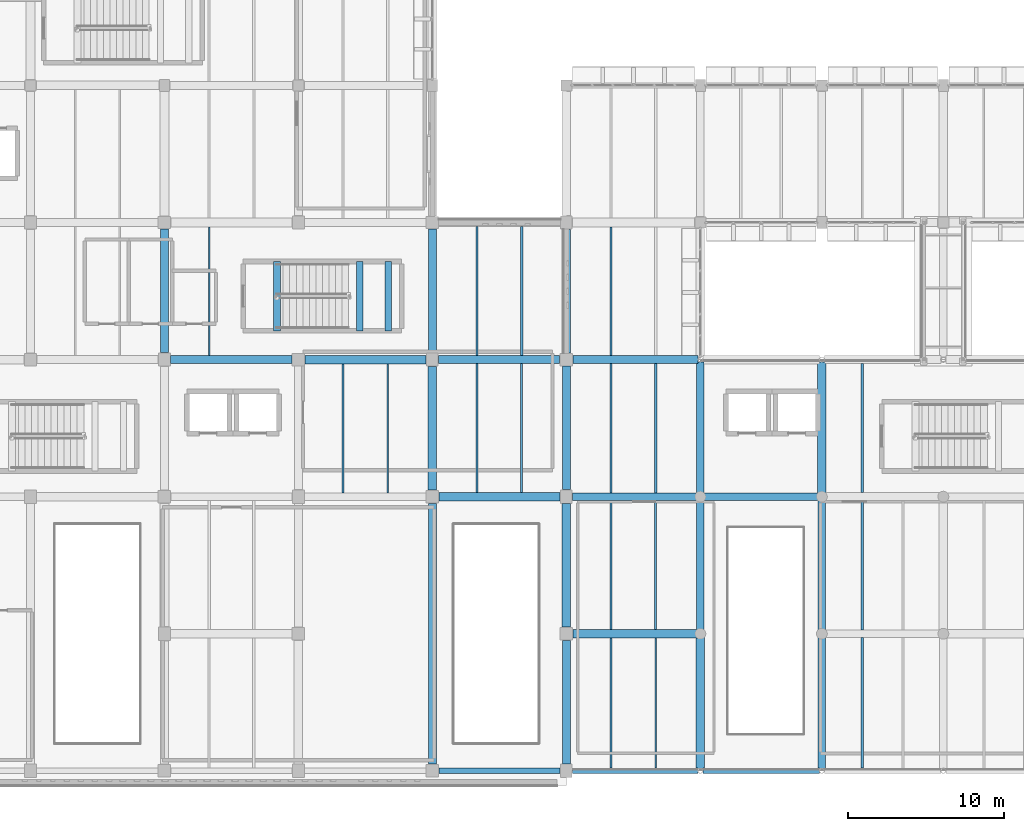
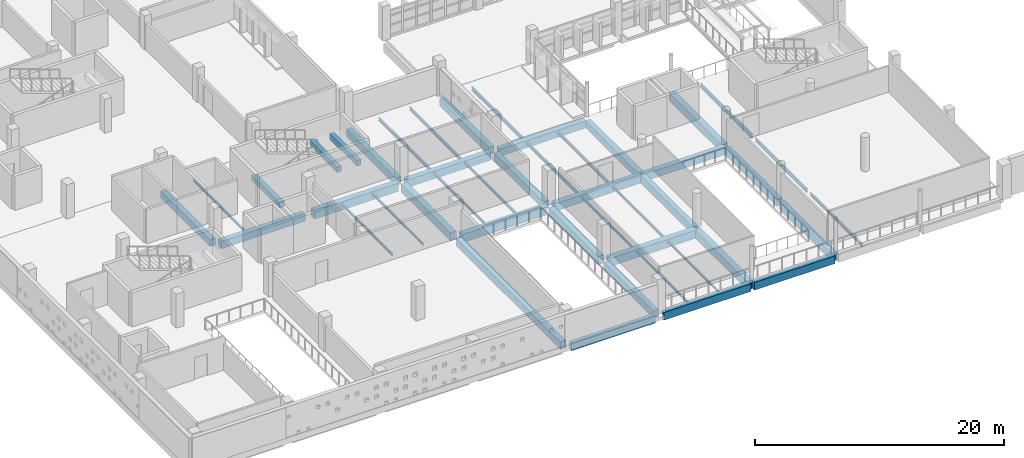
# One storey, part 8 of 75: 45 beams.
"""IFC4 building model written with IfcOpenShell, lengths in metres."""

import ifcopenshell
import ifcopenshell.guid

model = None  # the IFC model being written
_history = None  # IfcOwnerHistory: only IFC2X3 demands one
_inside = {}  # id of a spatial element -> (the spatial element, [elements in it])
_under = {}  # id of a project, library or spatial element -> (it, [spatial elements below it])
_declared = {}  # id of a project -> (the project, [libraries it declares])
_typed = {}  # id of a type object -> (the type object, [elements of that type])
_made_of = {}  # id of a material, layer set ... -> (it, [elements and type objects made of it])


def new_model(schema):
    """Start an empty IFC model of exactly this schema.

    Asked for "IFC4X3", IfcOpenShell would pick the latest addendum, in which some entities
    have other attributes; the version numbers below select the first issue.
    IFC2X3 requires an IfcOwnerHistory on every rooted entity: one is made here for all.
    """
    global model, _history
    if schema == "IFC4X3":
        model = ifcopenshell.file(schema_version=(4, 3, 0, 0))
    else:
        model = ifcopenshell.file(schema=schema)
    _inside.clear()
    _under.clear()
    _declared.clear()
    _typed.clear()
    _made_of.clear()
    _history = None
    if model.schema == "IFC2X3":
        org = make("IfcOrganization", Name="unknown")
        user = make(
            "IfcPersonAndOrganization",
            ThePerson=make("IfcPerson", FamilyName="unknown"),
            TheOrganization=org,
        )
        app = make(
            "IfcApplication",
            ApplicationDeveloper=org,
            Version="unknown",
            ApplicationFullName="unknown",
            ApplicationIdentifier="unknown",
        )
        _history = make(
            "IfcOwnerHistory",
            OwningUser=user,
            OwningApplication=app,
            ChangeAction="ADDED",
            CreationDate=0,
        )
    return model


def make(cls, **values):
    """One entity of the class cls with the attributes given. An attribute that is None is left unset."""
    return model.create_entity(
        cls, **{name: value for name, value in values.items() if value is not None}
    )


def rooted(cls, **values):
    """An entity with a GlobalId (a new one), such as an element, a storey or a relation."""
    return make(cls, GlobalId=ifcopenshell.guid.new(), OwnerHistory=_history, **values)


def si_unit(unit_type, name, prefix=None):
    """IfcSIUnit, for example si_unit("LENGTHUNIT", "METRE", prefix="MILLI")."""
    return make("IfcSIUnit", UnitType=unit_type, Prefix=prefix, Name=name)


def assignment(units):
    """IfcUnitAssignment: the units of a project."""
    return None if units is None else make("IfcUnitAssignment", Units=units)


def point(xyz):
    """IfcCartesianPoint."""
    return None if xyz is None else make("IfcCartesianPoint", Coordinates=xyz)


def direction(xyz):
    """IfcDirection."""
    return None if xyz is None else make("IfcDirection", DirectionRatios=xyz)


def frame(location, z_axis=None, x_axis=None):
    """IfcAxis2Placement3D, a coordinate frame: its origin and axes. An axis left out is left unset."""
    return make(
        "IfcAxis2Placement3D",
        Location=point(location),
        Axis=direction(z_axis),
        RefDirection=direction(x_axis),
    )


def frame_2d(location, x_axis=None):
    """IfcAxis2Placement2D, a coordinate frame in the plane: its origin and x axis."""
    return make(
        "IfcAxis2Placement2D", Location=point(location), RefDirection=direction(x_axis)
    )


def origin():
    """The frame at (0, 0, 0) with its axes left unset."""
    return frame((0.0, 0.0, 0.0))


def origin_2d():
    """The frame at (0, 0) in the plane with its x axis left unset."""
    return frame_2d((0.0, 0.0))


def place(relative_to, where):
    """IfcLocalPlacement: puts the frame where relative to a parent placement (None: the world)."""
    return make(
        "IfcLocalPlacement", PlacementRelTo=relative_to, RelativePlacement=where
    )


def context(
    kind, dimensions, precision=None, world=None, true_north=None, identifier=None
):
    """IfcGeometricRepresentationContext, for example the 3D "Model" context."""
    return make(
        "IfcGeometricRepresentationContext",
        ContextIdentifier=identifier,
        ContextType=kind,
        CoordinateSpaceDimension=dimensions,
        Precision=precision,
        WorldCoordinateSystem=world,
        TrueNorth=true_north,
    )


def subcontext(parent, identifier, kind, view, scale=None):
    """IfcGeometricRepresentationSubContext, for example "Body" below "Model"."""
    return make(
        "IfcGeometricRepresentationSubContext",
        ContextIdentifier=identifier,
        ContextType=kind,
        ParentContext=parent,
        TargetScale=scale,
        TargetView=view,
    )


def project(units=None, contexts=None):
    """IfcProject with its units and contexts."""
    return rooted(
        "IfcProject",
        Name="project",
        RepresentationContexts=contexts,
        UnitsInContext=assignment(units),
    )


def spatial(cls, under=None, at=None, **own):
    """A site, building, storey or space (cls), placed at a placement, below another one or the project."""
    s = rooted(cls, ObjectPlacement=at, **own)
    if under is not None:
        _under.setdefault(under.id(), (under, []))[1].append(s)
    return s


def profile(cls, at=None, kind="AREA", **sizes):
    """A parametric profile (cls). Its sizes go by their IFC names, for example OverallWidth=200.0."""
    return make(cls, ProfileType=kind, Position=at, **sizes)


def rectangle(**sizes):
    """IfcRectangleProfileDef."""
    return profile("IfcRectangleProfileDef", **sizes)


def i_section(**sizes):
    """IfcIShapeProfileDef."""
    return profile("IfcIShapeProfileDef", **sizes)


def extrude(swept, where, along, depth):
    """IfcExtrudedAreaSolid: the profile swept, set in the frame where, extruded along a direction by depth."""
    return make(
        "IfcExtrudedAreaSolid",
        SweptArea=swept,
        Position=where,
        ExtrudedDirection=direction(along),
        Depth=depth,
    )


def shape(context_of_items, identifier, shape_type, items):
    """IfcShapeRepresentation: the items that make up one representation, for example the "Body"."""
    return make(
        "IfcShapeRepresentation",
        ContextOfItems=context_of_items,
        RepresentationIdentifier=identifier,
        RepresentationType=shape_type,
        Items=items,
    )


def material(Name=None, Category=None):
    """IfcMaterial."""
    return make("IfcMaterial", Name=Name, Category=Category)


def material_profile(
    of_material, cross_section, Name=None, Category=None, Priority=None
):
    """IfcMaterialProfile: a cross section and its material."""
    return make(
        "IfcMaterialProfile",
        Name=Name,
        Material=of_material,
        Profile=cross_section,
        Priority=Priority,
        Category=Category,
    )


def profile_set(profiles, Name=None, composite=None):
    """IfcMaterialProfileSet."""
    return make(
        "IfcMaterialProfileSet",
        Name=Name,
        MaterialProfiles=profiles,
        CompositeProfile=composite,
    )


def made_of(thing, what):
    """Note that an element or type object is made of a material, layer set ...; save() writes the relation."""
    if what is not None:
        _made_of.setdefault(what.id(), (what, []))[1].append(thing)
    return thing


def type_object(cls, material=None, **own):
    """A type object (cls), such as IfcWallType, which elements share."""
    return made_of(rooted(cls, **own), material)


def element(
    cls,
    number,
    at=None,
    inside=None,
    cuts=None,
    type_object=None,
    material=None,
    context=None,
    identifier="Body",
    shape_type=None,
    held_by="IfcProductDefinitionShape",
    body=None,
    shapes=None,
    **own,
):
    """One element of the class cls, such as IfcWall. Its Tag is "e" and its number.

    at: its placement. inside: the storey or other place that contains it. cuts: it is an
    opening in that element (IfcRelVoidsElement). A single representation is given by context,
    identifier, shape_type and body (its items); several are given by shapes. held_by: the class
    of the entity that holds the representations. save() writes the other relations.
    """
    e = rooted(cls, Tag="e%d" % number, ObjectPlacement=at, **own)
    if body is not None:
        shapes = [shape(context, identifier, shape_type, body)]
    if shapes is not None:
        e.Representation = make(held_by, Representations=shapes)
    if inside is not None:
        _inside.setdefault(inside.id(), (inside, []))[1].append(e)
    if cuts is not None:
        rooted(
            "IfcRelVoidsElement", RelatingBuildingElement=cuts, RelatedOpeningElement=e
        )
    if type_object is not None:
        _typed.setdefault(type_object.id(), (type_object, []))[1].append(e)
    return made_of(e, material)


def aggregate(whole, parts):
    """IfcRelAggregates: a whole, such as a stair, and the parts it consists of."""
    return rooted("IfcRelAggregates", RelatingObject=whole, RelatedObjects=parts)


def save(model, path):
    """Write the relations noted so far, then the file.

    IfcRelAggregates (storeys below a building ...), IfcRelContainedInSpatialStructure (elements
    in a storey), IfcRelDefinesByType, IfcRelAssociatesMaterial and IfcRelDeclares: one each for
    every whole, place, type object, material and project.
    """
    for whole, parts in _under.values():
        aggregate(whole, parts)
    for where, things in _inside.values():
        rooted(
            "IfcRelContainedInSpatialStructure",
            RelatedElements=things,
            RelatingStructure=where,
        )
    for kind, things in _typed.values():
        rooted("IfcRelDefinesByType", RelatedObjects=things, RelatingType=kind)
    for what, things in _made_of.values():
        rooted("IfcRelAssociatesMaterial", RelatedObjects=things, RelatingMaterial=what)
    for by, libraries in _declared.values():
        rooted("IfcRelDeclares", RelatingContext=by, RelatedDefinitions=libraries)
    model.write(path)


model = new_model("IFC4")

# Units and contexts
model_context = context("Model", 3, precision=1e-05, world=origin(), true_north=direction((0.0, 1.0)))
body_context = subcontext(model_context, "Body", "Model", "MODEL_VIEW")
ifc_project = project(units=[si_unit("LENGTHUNIT", "METRE"), si_unit("AREAUNIT", "SQUARE_METRE"), si_unit("VOLUMEUNIT", "CUBIC_METRE"), si_unit("PLANEANGLEUNIT", "RADIAN"), si_unit("MASSUNIT", "GRAM", prefix="KILO")], contexts=[model_context])

# Site, building, storey
site_placement = place(None, origin())
site = spatial("IfcSite", under=ifc_project, at=site_placement, CompositionType="ELEMENT")
building_placement = place(site_placement, origin())
building = spatial("IfcBuilding", under=site, at=building_placement, Name="Varnakota Cinema and Media Centre", CompositionType="ELEMENT")
storey_placement = place(building_placement, frame((0.0, 0.0, 8.39990234375)))
storey = spatial("IfcBuildingStorey", under=building, at=storey_placement, Name="L02", CompositionType="ELEMENT", Elevation=8.39990234375)

# Beams
ifc_material_1 = material(Name="Concrete M35", Category="concrete")
ifc_material_profile_1 = material_profile(ifc_material_1, rectangle(XDim=0.39990234375, YDim=0.550048828125, at=origin_2d()), Name="RCB 400x550")
ifc_profile_set_1 = profile_set([ifc_material_profile_1], Name="Concrete M35")
beam_type_1 = type_object("IfcBeamType", Name="BM-RC-400x550", PredefinedType="BEAM", material=ifc_profile_set_1)
for number, where, z_axis, x_axis, name in (
    (1, (29.7373046875, 28.25, 1.3251953125), (0.0, 1.0, 0.0), (-1.0, 0.0, 0.0), "L02 ST-02 landing support beam 1"),
    (2, (31.562744140625, 28.25, 1.3251953125), (0.0, 1.0, 0.0), (-1.0, 0.0, 0.0), "L02 ST-02 landing support beam 2"),
):
    element("IfcBeam", number, at=place(storey_placement, frame(where, z_axis=z_axis, x_axis=x_axis)), inside=storey, type_object=beam_type_1, Name=name, PredefinedType="BEAM", context=body_context, shape_type="SweptSolid", body=[
        extrude(rectangle(XDim=0.39990234375, YDim=0.550048828125, at=origin_2d()), origin(), (0.0, 0.0, 1.0), 4.449951171875),
    ])
ifc_material_2 = material(Name="Concrete M40", Category="concrete")
ifc_material_profile_2 = material_profile(ifc_material_2, rectangle(XDim=0.449951171875, YDim=0.550048828125, at=origin_2d()), Name="RCB 450x550")
ifc_profile_set_2 = profile_set([ifc_material_profile_2], Name="Concrete M40")
beam_type_2 = type_object("IfcBeamType", Name="BM-RC-450x550", PredefinedType="BEAM", material=ifc_profile_set_2)
beam_1_placement = place(storey_placement, frame((24.419921875, 28.25, -0.27490234375), z_axis=(0.0, 1.0, 0.0), x_axis=(-1.0, 0.0, 0.0)))
element("IfcBeam", 3, at=beam_1_placement, inside=storey, type_object=beam_type_2, Name="L02 ST-02 stair arrival trimmer beam", PredefinedType="BEAM", context=body_context, shape_type="SweptSolid", body=[
    extrude(rectangle(XDim=0.449951171875, YDim=0.550048828125, at=origin_2d()), origin(), (0.0, 0.0, 1.0), 4.449951171875),
])
ifc_material_3 = material(Name="Concrete M35", Category="concrete")
ifc_material_profile_3 = material_profile(ifc_material_3, rectangle(XDim=0.5, YDim=0.699951171875, at=origin_2d()), Name="RCB 500x700")
ifc_profile_set_3 = profile_set([ifc_material_profile_3], Name="Concrete M35")
beam_type_3 = type_object("IfcBeamType", Name="BM-RC-500x700", PredefinedType="BEAM", material=ifc_profile_set_3)
beam_2_placement = place(storey_placement, frame((51.72509765625, 17.60009765625, -0.599853515625), z_axis=(1.0, 0.0, 0.0), x_axis=(0.0, 1.0, 0.0)))
element("IfcBeam", 4, at=beam_2_placement, inside=storey, type_object=beam_type_3, Name="L02 girder G-H/3", PredefinedType="BEAM", context=body_context, shape_type="SweptSolid", body=[
    extrude(rectangle(XDim=0.5, YDim=0.699951171875, at=origin_2d()), origin(), (0.0, 0.0, 1.0), 7.5498046875),
])
beam_3_placement = place(storey_placement, frame((17.60009765625, 26.39990234375, -0.599853515625), z_axis=(1.0, 0.0, 0.0), x_axis=(0.0, 1.0, 0.0)))
element("IfcBeam", 5, at=beam_3_placement, inside=storey, type_object=beam_type_3, Name="L02 girder C-D/4", PredefinedType="BEAM", context=body_context, shape_type="SweptSolid", body=[
    extrude(rectangle(XDim=0.5, YDim=0.699951171875, at=origin_2d()), origin(), (0.0, 0.0, 1.0), 7.77490234375),
])
beam_4_placement = place(storey_placement, frame((43.425048828125, 26.39990234375, -0.599853515625), z_axis=(1.0, 0.0, 0.0), x_axis=(0.0, 1.0, 0.0)))
element("IfcBeam", 6, at=beam_4_placement, inside=storey, type_object=beam_type_3, Name="L02 girder F-G/4", PredefinedType="BEAM", context=body_context, shape_type="SweptSolid", body=[
    extrude(rectangle(XDim=0.5, YDim=0.699951171875, at=origin_2d()), origin(), (0.0, 0.0, 1.0), 8.012939453125),
])
beam_5_placement = place(storey_placement, frame((17.199951171875, 26.85009765625, -0.599853515625), z_axis=(0.0, 1.0, 0.0), x_axis=(-1.0, 0.0, 0.0)))
element("IfcBeam", 7, at=beam_5_placement, inside=storey, type_object=beam_type_3, Name="L02 girder C/4-5", PredefinedType="BEAM", context=body_context, shape_type="SweptSolid", body=[
    extrude(rectangle(XDim=0.5, YDim=0.699951171875, at=origin_2d()), origin(), (0.0, 0.0, 1.0), 7.9248046875),
])
for number, where, z_axis, x_axis, name in (
    (8, (43.0, 0.449951171875, -0.599853515625), (0.0, 1.0, 0.0), (-1.0, 0.0, 0.0), "L02 girder F/1-2"),
    (9, (43.0, 26.824951171875, -0.599853515625), (0.0, 1.0, 0.0), (-1.0, 0.0, 0.0), "L02 girder F/4-5"),
):
    element("IfcBeam", number, at=place(storey_placement, frame(where, z_axis=z_axis, x_axis=x_axis)), inside=storey, type_object=beam_type_3, Name=name, PredefinedType="BEAM", context=body_context, shape_type="SweptSolid", body=[
        extrude(rectangle(XDim=0.5, YDim=0.699951171875, at=origin_2d()), origin(), (0.0, 0.0, 1.0), 7.925048828125),
    ])
beam_6_placement = place(storey_placement, frame((51.60009765625, 17.800048828125, -0.599853515625), z_axis=(0.0, 1.0, 0.0), x_axis=(-1.0, 0.0, 0.0)))
element("IfcBeam", 10, at=beam_6_placement, inside=storey, type_object=beam_type_3, Name="L02 girder G/3-4", PredefinedType="BEAM", context=body_context, shape_type="SweptSolid", body=[
    extrude(rectangle(XDim=0.5, YDim=0.699951171875, at=origin_2d()), origin(), (0.0, 0.0, 1.0), 8.43798828125),
])
beam_7_placement = place(storey_placement, frame((59.39990234375, 9.0, -0.599853515625), z_axis=(0.0, 1.0, 0.0), x_axis=(-1.0, 0.0, 0.0)))
element("IfcBeam", 11, at=beam_7_placement, inside=storey, type_object=beam_type_3, Name="L02 girder H/2-3", PredefinedType="BEAM", context=body_context, shape_type="SweptSolid", body=[
    extrude(rectangle(XDim=0.5, YDim=0.699951171875, at=origin_2d()), origin(), (0.0, 0.0, 1.0), 8.39990234375),
])
ifc_material_4 = material(Name="Concrete M35", Category="concrete")
ifc_material_profile_4 = material_profile(ifc_material_4, rectangle(XDim=0.5, YDim=0.75, at=origin_2d()), Name="RCB 500x750")
ifc_profile_set_4 = profile_set([ifc_material_profile_4], Name="Concrete M35")
beam_type_4 = type_object("IfcBeamType", Name="BM-RC-500x750", PredefinedType="BEAM", material=ifc_profile_set_4)
beam_8_placement = place(storey_placement, frame((43.39990234375, 17.60009765625, -0.625), z_axis=(1.0, 0.0, 0.0), x_axis=(0.0, 1.0, 0.0)))
element("IfcBeam", 12, at=beam_8_placement, inside=storey, type_object=beam_type_4, Name="L02 girder F-G/3", PredefinedType="BEAM", context=body_context, shape_type="SweptSolid", body=[
    extrude(rectangle(XDim=0.5, YDim=0.75, at=origin_2d()), origin(), (0.0, 0.0, 1.0), 8.0751953125),
])
beam_9_placement = place(storey_placement, frame((34.800048828125, 26.39990234375, -0.625), z_axis=(1.0, 0.0, 0.0), x_axis=(0.0, 1.0, 0.0)))
element("IfcBeam", 13, at=beam_9_placement, inside=storey, type_object=beam_type_4, Name="L02 girder E-F/4", PredefinedType="BEAM", context=body_context, shape_type="SweptSolid", body=[
    extrude(rectangle(XDim=0.5, YDim=0.75, at=origin_2d()), origin(), (0.0, 0.0, 1.0), 7.77490234375),
])
beam_10_placement = place(storey_placement, frame((34.39990234375, 0.425048828125, -0.625), z_axis=(0.0, 1.0, 0.0), x_axis=(-1.0, 0.0, 0.0)))
element("IfcBeam", 14, at=beam_10_placement, inside=storey, type_object=beam_type_4, Name="L02 girder E/1-3", PredefinedType="BEAM", context=body_context, shape_type="SweptSolid", body=[
    extrude(rectangle(XDim=0.5, YDim=0.75, at=origin_2d()), origin(), (0.0, 0.0, 1.0), 16.75),
])
beam_11_placement = place(storey_placement, frame((34.39990234375, 26.85009765625, -0.625), z_axis=(0.0, 1.0, 0.0), x_axis=(-1.0, 0.0, 0.0)))
element("IfcBeam", 15, at=beam_11_placement, inside=storey, type_object=beam_type_4, Name="L02 girder E/4-5", PredefinedType="BEAM", context=body_context, shape_type="SweptSolid", body=[
    extrude(rectangle(XDim=0.5, YDim=0.75, at=origin_2d()), origin(), (0.0, 0.0, 1.0), 7.9248046875),
])
beam_12_placement = place(storey_placement, frame((43.0, 18.050048828125, -0.625), z_axis=(0.0, 1.0, 0.0), x_axis=(-1.0, 0.0, 0.0)))
element("IfcBeam", 16, at=beam_12_placement, inside=storey, type_object=beam_type_4, Name="L02 girder F/3-4", PredefinedType="BEAM", context=body_context, shape_type="SweptSolid", body=[
    extrude(rectangle(XDim=0.5, YDim=0.75, at=origin_2d()), origin(), (0.0, 0.0, 1.0), 7.925048828125),
])
beam_13_placement = place(storey_placement, frame((51.60009765625, 9.0, -0.625), z_axis=(0.0, 1.0, 0.0), x_axis=(-1.0, 0.0, 0.0)))
element("IfcBeam", 17, at=beam_13_placement, inside=storey, type_object=beam_type_4, Name="L02 girder G/2-3", PredefinedType="BEAM", context=body_context, shape_type="SweptSolid", body=[
    extrude(rectangle(XDim=0.5, YDim=0.75, at=origin_2d()), origin(), (0.0, 0.0, 1.0), 8.39990234375),
])
beam_14_placement = place(storey_placement, frame((59.39990234375, 0.162109375, -0.625), z_axis=(0.0, 1.0, 0.0), x_axis=(-1.0, 0.0, 0.0)))
element("IfcBeam", 18, at=beam_14_placement, inside=storey, type_object=beam_type_4, Name="L02 girder H/1-2", PredefinedType="BEAM", context=body_context, shape_type="SweptSolid", body=[
    extrude(rectangle(XDim=0.5, YDim=0.75, at=origin_2d()), origin(), (0.0, 0.0, 1.0), 8.43798828125),
])
ifc_material_5 = material(Name="Concrete M35", Category="concrete")
ifc_material_profile_5 = material_profile(ifc_material_5, rectangle(XDim=0.550048828125, YDim=0.800048828125, at=origin_2d()), Name="RCB 550x800")
ifc_profile_set_5 = profile_set([ifc_material_profile_5], Name="Concrete M35")
beam_type_5 = type_object("IfcBeamType", Name="BM-RC-550x800", PredefinedType="BEAM", material=ifc_profile_set_5)
beam_15_placement = place(storey_placement, frame((43.425048828125, 8.800048828125, -0.64990234375), z_axis=(1.0, 0.0, 0.0), x_axis=(0.0, 1.0, 0.0)))
element("IfcBeam", 19, at=beam_15_placement, inside=storey, type_object=beam_type_5, Name="L02 girder F-G/2", PredefinedType="BEAM", context=body_context, shape_type="SweptSolid", body=[
    extrude(rectangle(XDim=0.550048828125, YDim=0.800048828125, at=origin_2d()), origin(), (0.0, 0.0, 1.0), 8.050048828125),
])
beam_16_placement = place(storey_placement, frame((34.824951171875, 17.60009765625, -0.64990234375), z_axis=(1.0, 0.0, 0.0), x_axis=(0.0, 1.0, 0.0)))
element("IfcBeam", 20, at=beam_16_placement, inside=storey, type_object=beam_type_5, Name="L02 girder E-F/3", PredefinedType="BEAM", context=body_context, shape_type="SweptSolid", body=[
    extrude(rectangle(XDim=0.550048828125, YDim=0.800048828125, at=origin_2d()), origin(), (0.0, 0.0, 1.0), 7.775146484375),
])
beam_17_placement = place(storey_placement, frame((26.22509765625, 26.39990234375, -0.64990234375), z_axis=(1.0, 0.0, 0.0), x_axis=(0.0, 1.0, 0.0)))
element("IfcBeam", 21, at=beam_17_placement, inside=storey, type_object=beam_type_5, Name="L02 girder D-E/4", PredefinedType="BEAM", context=body_context, shape_type="SweptSolid", body=[
    extrude(rectangle(XDim=0.550048828125, YDim=0.800048828125, at=origin_2d()), origin(), (0.0, 0.0, 1.0), 7.77490234375),
])
beam_18_placement = place(storey_placement, frame((34.39990234375, 18.02490234375, -0.64990234375), z_axis=(0.0, 1.0, 0.0), x_axis=(-1.0, 0.0, 0.0)))
element("IfcBeam", 22, at=beam_18_placement, inside=storey, type_object=beam_type_5, Name="L02 girder E/3-4", PredefinedType="BEAM", context=body_context, shape_type="SweptSolid", body=[
    extrude(rectangle(XDim=0.550048828125, YDim=0.800048828125, at=origin_2d()), origin(), (0.0, 0.0, 1.0), 7.925048828125),
])
beam_19_placement = place(storey_placement, frame((43.0, 9.22509765625, -0.64990234375), z_axis=(0.0, 1.0, 0.0), x_axis=(-1.0, 0.0, 0.0)))
element("IfcBeam", 23, at=beam_19_placement, inside=storey, type_object=beam_type_5, Name="L02 girder F/2-3", PredefinedType="BEAM", context=body_context, shape_type="SweptSolid", body=[
    extrude(rectangle(XDim=0.550048828125, YDim=0.800048828125, at=origin_2d()), origin(), (0.0, 0.0, 1.0), 7.9248046875),
])
for number, where, z_axis, x_axis, name in (
    (24, (51.60009765625, 0.162109375, -0.64990234375), (0.0, 1.0, 0.0), (-1.0, 0.0, 0.0), "L02 girder G/1-2"),
    (25, (59.39990234375, 17.800048828125, -0.64990234375), (0.0, 1.0, 0.0), (-1.0, 0.0, 0.0), "L02 girder H/3-4"),
):
    element("IfcBeam", number, at=place(storey_placement, frame(where, z_axis=z_axis, x_axis=x_axis)), inside=storey, type_object=beam_type_5, Name=name, PredefinedType="BEAM", context=body_context, shape_type="SweptSolid", body=[
        extrude(rectangle(XDim=0.550048828125, YDim=0.800048828125, at=origin_2d()), origin(), (0.0, 0.0, 1.0), 8.43798828125),
    ])
ifc_material_6 = material(Name="Concrete M40", Category="concrete")
ifc_material_profile_6 = material_profile(ifc_material_6, rectangle(XDim=0.35009765625, YDim=0.75, at=origin_2d()), Name="RCB 350x750")
ifc_profile_set_6 = profile_set([ifc_material_profile_6], Name="Concrete M40")
beam_type_6 = type_object("IfcBeamType", Name="BM-SP-350x750", PredefinedType="SPANDREL", material=ifc_profile_set_6)
beam_20_placement = place(storey_placement, frame((34.824951171875, 0.0, -0.625), z_axis=(1.0, 0.0, 0.0), x_axis=(0.0, 1.0, 0.0)))
element("IfcBeam", 26, at=beam_20_placement, inside=storey, type_object=beam_type_6, Name="L02 girder E-F/1", PredefinedType="SPANDREL", context=body_context, shape_type="SweptSolid", body=[
    extrude(rectangle(XDim=0.35009765625, YDim=0.75, at=origin_2d()), origin(), (0.0, 0.0, 1.0), 7.775146484375),
])
beam_21_placement = place(storey_placement, frame((43.39990234375, 0.0, -0.625), z_axis=(1.0, 0.0, 0.0), x_axis=(0.0, 1.0, 0.0)))
element("IfcBeam", 27, at=beam_21_placement, inside=storey, type_object=beam_type_6, Name="L02 girder F-G/1", PredefinedType="SPANDREL", context=body_context, shape_type="SweptSolid", body=[
    extrude(rectangle(XDim=0.35009765625, YDim=0.75, at=origin_2d()), origin(), (0.0, 0.0, 1.0), 8.0380859375),
])
beam_22_placement = place(storey_placement, frame((51.761962890625, 0.0, -0.625), z_axis=(1.0, 0.0, 0.0), x_axis=(0.0, 1.0, 0.0)))
element("IfcBeam", 28, at=beam_22_placement, inside=storey, type_object=beam_type_6, Name="L02 girder G-H/1", PredefinedType="SPANDREL", context=body_context, shape_type="SweptSolid", body=[
    extrude(rectangle(XDim=0.35009765625, YDim=0.75, at=origin_2d()), origin(), (0.0, 0.0, 1.0), 7.47607421875),
])
ifc_material_7 = material(Name="Structural steel Grade 350 (E350)", Category="steel")
ifc_material_profile_7 = material_profile(ifc_material_7, i_section(OverallWidth=0.110107421875, OverallDepth=0.22509765625, WebThickness=0.006591796875, FlangeThickness=0.01171875, FilletRadius=0.011962890625, at=origin_2d()), Name="ISMB 225")
ifc_profile_set_7 = profile_set([ifc_material_profile_7], Name="Structural steel Grade 350 (E350)")
beam_type_7 = type_object("IfcBeamType", Name="BM-ST-ISMB225", PredefinedType="JOIST", material=ifc_profile_set_7)
beam_23_placement = place(storey_placement, frame((20.066650390625, 26.64990234375, -0.3623046875), z_axis=(0.0, 1.0, 0.0), x_axis=(-1.0, 0.0, 0.0)))
element("IfcBeam", 29, at=beam_23_placement, inside=storey, type_object=beam_type_7, Name="L02 steel joist C-D/4-5 #1", PredefinedType="JOIST", context=body_context, shape_type="SweptSolid", body=[
    extrude(i_section(OverallWidth=0.110107421875, OverallDepth=0.22509765625, WebThickness=0.006591796875, FlangeThickness=0.01171875, FilletRadius=0.011962890625, at=origin_2d()), origin(), (0.0, 0.0, 1.0), 8.275146484375),
])
for number, where, z_axis, x_axis, name in (
    (30, (28.666748046875, 17.85009765625, -0.3623046875), (0.0, 1.0, 0.0), (-1.0, 0.0, 0.0), "L02 steel joist D-E/3-4 #1"),
    (31, (31.533203125, 17.85009765625, -0.3623046875), (0.0, 1.0, 0.0), (-1.0, 0.0, 0.0), "L02 steel joist D-E/3-4 #2"),
):
    element("IfcBeam", number, at=place(storey_placement, frame(where, z_axis=z_axis, x_axis=x_axis)), inside=storey, type_object=beam_type_7, Name=name, PredefinedType="JOIST", context=body_context, shape_type="SweptSolid", body=[
        extrude(i_section(OverallWidth=0.110107421875, OverallDepth=0.22509765625, WebThickness=0.006591796875, FlangeThickness=0.01171875, FilletRadius=0.011962890625, at=origin_2d()), origin(), (0.0, 0.0, 1.0), 8.27490234375),
    ])
for number, where, z_axis, x_axis, name in (
    (32, (45.86669921875, 0.175048828125, -0.3623046875), (0.0, 1.0, 0.0), (-1.0, 0.0, 0.0), "L02 steel joist F-G/1-2 #1"),
    (33, (48.7333984375, 0.175048828125, -0.3623046875), (0.0, 1.0, 0.0), (-1.0, 0.0, 0.0), "L02 steel joist F-G/1-2 #2"),
):
    element("IfcBeam", number, at=place(storey_placement, frame(where, z_axis=z_axis, x_axis=x_axis)), inside=storey, type_object=beam_type_7, Name=name, PredefinedType="JOIST", context=body_context, shape_type="SweptSolid", body=[
        extrude(i_section(OverallWidth=0.110107421875, OverallDepth=0.22509765625, WebThickness=0.006591796875, FlangeThickness=0.01171875, FilletRadius=0.011962890625, at=origin_2d()), origin(), (0.0, 0.0, 1.0), 8.349853515625),
    ])
ifc_material_8 = material(Name="Structural steel Grade 350 (E350)", Category="steel")
ifc_material_profile_8 = material_profile(ifc_material_8, i_section(OverallWidth=0.125, OverallDepth=0.25, WebThickness=0.0068359375, FlangeThickness=0.012451171875, FilletRadius=0.012939453125, at=origin_2d()), Name="ISMB 250")
ifc_profile_set_8 = profile_set([ifc_material_profile_8], Name="Structural steel Grade 350 (E350)")
beam_type_8 = type_object("IfcBeamType", Name="BM-ST-ISMB250", PredefinedType="JOIST", material=ifc_profile_set_8)
for number, where, z_axis, x_axis, name in (
    (34, (37.2666015625, 17.875, -0.375), (0.0, 1.0, 0.0), (-1.0, 0.0, 0.0), "L02 steel joist E-F/3-4 #1"),
    (35, (40.13330078125, 17.875, -0.375), (0.0, 1.0, 0.0), (-1.0, 0.0, 0.0), "L02 steel joist E-F/3-4 #2"),
):
    element("IfcBeam", number, at=place(storey_placement, frame(where, z_axis=z_axis, x_axis=x_axis)), inside=storey, type_object=beam_type_8, Name=name, PredefinedType="JOIST", context=body_context, shape_type="SweptSolid", body=[
        extrude(i_section(OverallWidth=0.125, OverallDepth=0.25, WebThickness=0.0068359375, FlangeThickness=0.012451171875, FilletRadius=0.012939453125, at=origin_2d()), origin(), (0.0, 0.0, 1.0), 8.27490234375),
    ])
for number, where, z_axis, x_axis, name in (
    (36, (45.86669921875, 9.074951171875, -0.375), (0.0, 1.0, 0.0), (-1.0, 0.0, 0.0), "L02 steel joist F-G/2-3 #1"),
    (37, (48.7333984375, 9.074951171875, -0.375), (0.0, 1.0, 0.0), (-1.0, 0.0, 0.0), "L02 steel joist F-G/2-3 #2"),
):
    element("IfcBeam", number, at=place(storey_placement, frame(where, z_axis=z_axis, x_axis=x_axis)), inside=storey, type_object=beam_type_8, Name=name, PredefinedType="JOIST", context=body_context, shape_type="SweptSolid", body=[
        extrude(i_section(OverallWidth=0.125, OverallDepth=0.25, WebThickness=0.0068359375, FlangeThickness=0.012451171875, FilletRadius=0.012939453125, at=origin_2d()), origin(), (0.0, 0.0, 1.0), 8.275146484375),
    ])
ifc_material_9 = material(Name="Structural steel Grade 350 (E350)", Category="steel")
ifc_material_profile_9 = material_profile(ifc_material_9, i_section(OverallWidth=0.139892578125, OverallDepth=0.300048828125, WebThickness=0.0078125, FlangeThickness=0.01318359375, FilletRadius=0.013916015625, at=origin_2d()), Name="ISMB 300")
ifc_profile_set_9 = profile_set([ifc_material_profile_9], Name="Structural steel Grade 350 (E350)")
beam_type_9 = type_object("IfcBeamType", Name="BM-ST-ISMB300", PredefinedType="JOIST", material=ifc_profile_set_9)
for number, where, z_axis, x_axis, name in (
    (38, (37.2666015625, 26.64990234375, -0.39990234375), (0.0, 1.0, 0.0), (-1.0, 0.0, 0.0), "L02 steel joist E-F/4-5 #1"),
    (39, (40.13330078125, 26.64990234375, -0.39990234375), (0.0, 1.0, 0.0), (-1.0, 0.0, 0.0), "L02 steel joist E-F/4-5 #2"),
):
    element("IfcBeam", number, at=place(storey_placement, frame(where, z_axis=z_axis, x_axis=x_axis)), inside=storey, type_object=beam_type_9, Name=name, PredefinedType="JOIST", context=body_context, shape_type="SweptSolid", body=[
        extrude(i_section(OverallWidth=0.139892578125, OverallDepth=0.300048828125, WebThickness=0.0078125, FlangeThickness=0.01318359375, FilletRadius=0.013916015625, at=origin_2d()), origin(), (0.0, 0.0, 1.0), 8.300048828125),
    ])
for number, where, z_axis, x_axis, name in (
    (40, (45.86669921875, 17.85009765625, -0.39990234375), (0.0, 1.0, 0.0), (-1.0, 0.0, 0.0), "L02 steel joist F-G/3-4 #1"),
    (41, (48.7333984375, 17.85009765625, -0.39990234375), (0.0, 1.0, 0.0), (-1.0, 0.0, 0.0), "L02 steel joist F-G/3-4 #2"),
):
    element("IfcBeam", number, at=place(storey_placement, frame(where, z_axis=z_axis, x_axis=x_axis)), inside=storey, type_object=beam_type_9, Name=name, PredefinedType="JOIST", context=body_context, shape_type="SweptSolid", body=[
        extrude(i_section(OverallWidth=0.139892578125, OverallDepth=0.300048828125, WebThickness=0.0078125, FlangeThickness=0.01318359375, FilletRadius=0.013916015625, at=origin_2d()), origin(), (0.0, 0.0, 1.0), 8.2998046875),
    ])
beam_24_placement = place(storey_placement, frame((62.0, 0.175048828125, -0.39990234375), z_axis=(0.0, 1.0, 0.0), x_axis=(-1.0, 0.0, 0.0)))
element("IfcBeam", 42, at=beam_24_placement, inside=storey, type_object=beam_type_9, Name="L02 steel joist H-J/1-2 #1", PredefinedType="JOIST", context=body_context, shape_type="SweptSolid", body=[
    extrude(i_section(OverallWidth=0.139892578125, OverallDepth=0.300048828125, WebThickness=0.0078125, FlangeThickness=0.01318359375, FilletRadius=0.013916015625, at=origin_2d()), origin(), (0.0, 0.0, 1.0), 8.375),
])
ifc_material_10 = material(Name="Structural steel Grade 350 (E350)", Category="steel")
ifc_material_profile_10 = material_profile(ifc_material_10, i_section(OverallWidth=0.139892578125, OverallDepth=0.35009765625, WebThickness=0.008056640625, FlangeThickness=0.01416015625, FilletRadius=0.013916015625, at=origin_2d()), Name="ISMB 350")
ifc_profile_set_10 = profile_set([ifc_material_profile_10], Name="Structural steel Grade 350 (E350)")
beam_type_10 = type_object("IfcBeamType", Name="BM-ST-ISMB350", PredefinedType="JOIST", material=ifc_profile_set_10)
beam_25_placement = place(storey_placement, frame((45.86669921875, 26.64990234375, -0.4248046875), z_axis=(0.0, 1.0, 0.0), x_axis=(-1.0, 0.0, 0.0)))
element("IfcBeam", 43, at=beam_25_placement, inside=storey, type_object=beam_type_10, Name="L02 steel joist F-G/4-5 #1", PredefinedType="JOIST", context=body_context, shape_type="SweptSolid", body=[
    extrude(i_section(OverallWidth=0.139892578125, OverallDepth=0.35009765625, WebThickness=0.008056640625, FlangeThickness=0.01416015625, FilletRadius=0.013916015625, at=origin_2d()), origin(), (0.0, 0.0, 1.0), 8.275146484375),
])
beam_26_placement = place(storey_placement, frame((62.0, 9.050048828125, -0.4248046875), z_axis=(0.0, 1.0, 0.0), x_axis=(-1.0, 0.0, 0.0)))
element("IfcBeam", 44, at=beam_26_placement, inside=storey, type_object=beam_type_10, Name="L02 steel joist H-J/2-3 #1", PredefinedType="JOIST", context=body_context, shape_type="SweptSolid", body=[
    extrude(i_section(OverallWidth=0.139892578125, OverallDepth=0.35009765625, WebThickness=0.008056640625, FlangeThickness=0.01416015625, FilletRadius=0.013916015625, at=origin_2d()), origin(), (0.0, 0.0, 1.0), 8.27490234375),
])
ifc_material_11 = material(Name="Structural steel Grade 350 (E350)", Category="steel")
ifc_material_profile_11 = material_profile(ifc_material_11, i_section(OverallWidth=0.139892578125, OverallDepth=0.39990234375, WebThickness=0.0087890625, FlangeThickness=0.01611328125, FilletRadius=0.013916015625, at=origin_2d()), Name="ISMB 400")
ifc_profile_set_11 = profile_set([ifc_material_profile_11], Name="Structural steel Grade 350 (E350)")
beam_type_11 = type_object("IfcBeamType", Name="BM-ST-ISMB400", PredefinedType="JOIST", material=ifc_profile_set_11)
beam_27_placement = place(storey_placement, frame((62.0, 17.875, -0.449951171875), z_axis=(0.0, 1.0, 0.0), x_axis=(-1.0, 0.0, 0.0)))
element("IfcBeam", 45, at=beam_27_placement, inside=storey, type_object=beam_type_11, Name="L02 steel joist H-J/3-4 #1", PredefinedType="JOIST", context=body_context, shape_type="SweptSolid", body=[
    extrude(i_section(OverallWidth=0.139892578125, OverallDepth=0.39990234375, WebThickness=0.0087890625, FlangeThickness=0.01611328125, FilletRadius=0.013916015625, at=origin_2d()), origin(), (0.0, 0.0, 1.0), 8.27490234375),
])

save(model, "model.ifc")
